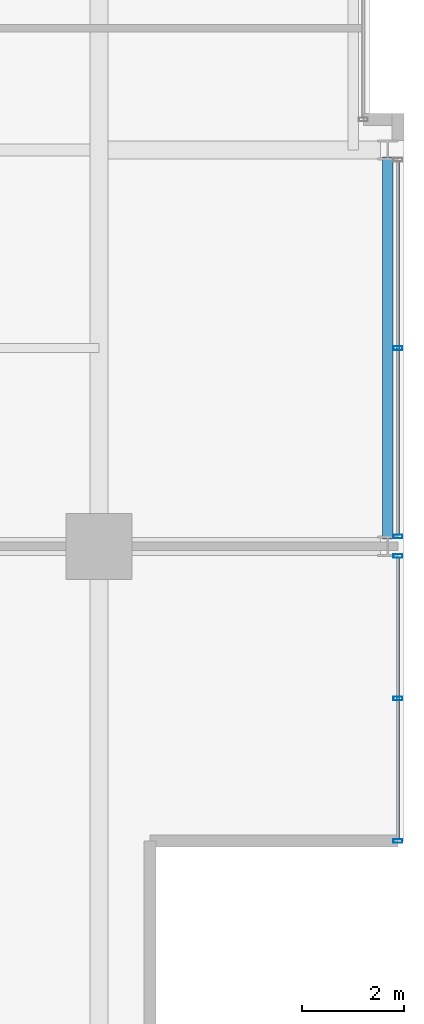
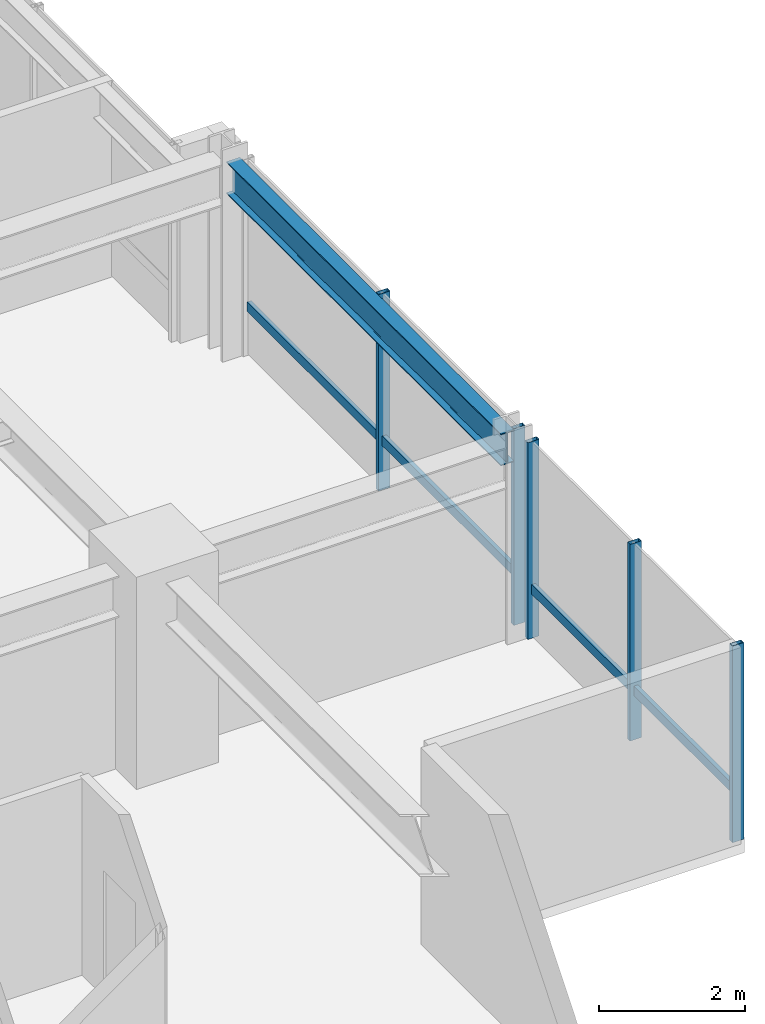
# One storey, part 13 of 32: 7 members, 1 beam, 2 elements without a shape of their own.
"""IFC4 building model written with IfcOpenShell, lengths in metres."""

from ifc_helpers import new_model, si_unit, direction, frame, origin, origin_2d, place, context, subcontext, project, spatial, hollow_rectangle, i_section, extrude, material, layer, layer_set, material_profile, profile_set, type_object, element, aggregate, save


model = new_model("IFC4")

# Units and contexts
model_context = context("Model", 3, precision=1e-05, world=origin(), true_north=direction((0.0, 1.0)))
body_context = subcontext(model_context, "Body", "Model", "MODEL_VIEW")
ifc_project = project(units=[si_unit("LENGTHUNIT", "METRE"), si_unit("AREAUNIT", "SQUARE_METRE"), si_unit("VOLUMEUNIT", "CUBIC_METRE"), si_unit("PLANEANGLEUNIT", "RADIAN"), si_unit("MASSUNIT", "GRAM", prefix="KILO")], contexts=[model_context])

# Site, building, storey
site_placement = place(None, origin())
site = spatial("IfcSite", under=ifc_project, at=site_placement, CompositionType="ELEMENT")
building_placement = place(site_placement, origin())
building = spatial("IfcBuilding", under=site, at=building_placement, Name="Drelvath Grand Hotel", CompositionType="ELEMENT")
storey_placement = place(building_placement, frame((0.0, 0.0, 189.449951171875)))
storey = spatial("IfcBuildingStorey", under=building, at=storey_placement, Name="L49", CompositionType="ELEMENT", Elevation=189.449951171875)

# Curtain wall, member
ifc_material_1 = material(Name="Brushed Pale-Silver Anodised Aluminium Frame", Category="aluminium")
ifc_layer = layer(ifc_material_1, 0.199951171875)
ifc_layer_set = layer_set([ifc_layer], Name="Brushed Pale-Silver Anodised Aluminium Frame")
curtain_wall_type = type_object("IfcCurtainWallType", Name="Stick Curtain Wall CW-04 Brushed Silver Upper-Mid", PredefinedType="NOTDEFINED", material=ifc_layer_set)
curtain_wall_1_placement = place(storey_placement, origin())
curtain_wall_1 = element("IfcCurtainWall", 1, at=curtain_wall_1_placement, inside=storey, type_object=curtain_wall_type, Name="L49 CW-04 Curtain Wall CW04-L49-ES1", PredefinedType="NOTDEFINED")
ifc_material_profile_1 = material_profile(ifc_material_1, hollow_rectangle(XDim=0.06494140625, YDim=0.159912109375, WallThickness=0.00390625, at=origin_2d()), Name="HSS160X65X4")
ifc_profile_set_1 = profile_set([ifc_material_profile_1], Name="Brushed Pale-Silver Anodised Aluminium Frame")
member_type_1 = type_object("IfcMemberType", Name="Curtain Wall Horizontal Transom CW-04 HSS160X65X4", PredefinedType="USERDEFINED", material=ifc_profile_set_1)
member_1_placement = place(storey_placement, frame((22.080078125, 10.568359375, 0.822509765625), z_axis=(0.0, -1.0, 0.0), x_axis=(1.0, 0.0, 0.0)))
member_1 = element("IfcMember", 2, at=member_1_placement, type_object=member_type_1, Name="CW04-L49-ES1 Sill Transom", ObjectType="TRANSOM", PredefinedType="USERDEFINED", context=body_context, shape_type="SweptSolid", body=[
    extrude(hollow_rectangle(XDim=0.06494140625, YDim=0.159912109375, WallThickness=0.00390625, at=origin_2d()), origin(), (0.0, 0.0, 1.0), 5.5283203125),
])

curtain_wall_2_placement = place(storey_placement, origin())
curtain_wall_2 = element("IfcCurtainWall", 3, at=curtain_wall_2_placement, inside=storey, type_object=curtain_wall_type, Name="L49 CW-04 Curtain Wall CW04-L49-ES2", PredefinedType="NOTDEFINED")
member_2_placement = place(storey_placement, frame((22.080078125, 18.368408203125, 0.822509765625), z_axis=(0.0, -1.0, 0.0), x_axis=(1.0, 0.0, 0.0)))
member_2 = element("IfcMember", 4, at=member_2_placement, type_object=member_type_1, Name="CW04-L49-ES2 Sill Transom", ObjectType="TRANSOM", PredefinedType="USERDEFINED", context=body_context, shape_type="SweptSolid", body=[
    extrude(hollow_rectangle(XDim=0.06494140625, YDim=0.159912109375, WallThickness=0.00390625, at=origin_2d()), origin(), (0.0, 0.0, 1.0), 7.336669921875),
])

# Member
ifc_material_profile_2 = material_profile(ifc_material_1, hollow_rectangle(XDim=0.074951171875, YDim=0.179931640625, WallThickness=0.0048828125, at=origin_2d()), Name="HSS180X75X5")
ifc_profile_set_2 = profile_set([ifc_material_profile_2], Name="Brushed Pale-Silver Anodised Aluminium Frame")
member_type_2 = type_object("IfcMemberType", Name="Curtain Wall Vertical Mullion CW-04 HSS180X75X5", PredefinedType="MULLION", material=ifc_profile_set_2)
member_3_placement = place(storey_placement, frame((22.080078125, 10.6083984375, 0.0), z_axis=(0.0, 0.0, 1.0), x_axis=(0.0, 1.0, 0.0)))
member_3 = element("IfcMember", 5, at=member_3_placement, type_object=member_type_2, Name="CW04-L49-ES1 Mullion 1", PredefinedType="MULLION", context=body_context, shape_type="SweptSolid", body=[
    extrude(hollow_rectangle(XDim=0.074951171875, YDim=0.179931640625, WallThickness=0.0048828125, at=origin_2d()), origin(), (0.0, 0.0, 1.0), 3.2900390625),
])

member_4_placement = place(storey_placement, frame((22.080078125, 7.80419921875, 0.0), z_axis=(0.0, 0.0, 1.0), x_axis=(0.0, 1.0, 0.0)))
member_4 = element("IfcMember", 6, at=member_4_placement, type_object=member_type_2, Name="CW04-L49-ES1 Mullion 2", PredefinedType="MULLION", context=body_context, shape_type="SweptSolid", body=[
    extrude(hollow_rectangle(XDim=0.074951171875, YDim=0.179931640625, WallThickness=0.0048828125, at=origin_2d()), origin(), (0.0, 0.0, 1.0), 3.2900390625),
])

member_5_placement = place(storey_placement, frame((22.080078125, 5.0, 0.0), z_axis=(0.0, 0.0, 1.0), x_axis=(0.0, 1.0, 0.0)))
member_5 = element("IfcMember", 7, at=member_5_placement, type_object=member_type_2, Name="CW04-L49-ES1 Mullion 3", PredefinedType="MULLION", context=body_context, shape_type="SweptSolid", body=[
    extrude(hollow_rectangle(XDim=0.074951171875, YDim=0.179931640625, WallThickness=0.0048828125, at=origin_2d()), origin(), (0.0, 0.0, 1.0), 3.2900390625),
])

aggregate(curtain_wall_1, [member_3, member_4, member_5, member_1])

member_6_placement = place(storey_placement, frame((22.080078125, 14.7001953125, 0.0), z_axis=(0.0, 0.0, 1.0), x_axis=(0.0, 1.0, 0.0)))
member_6 = element("IfcMember", 8, at=member_6_placement, type_object=member_type_2, Name="CW04-L49-ES2 Mullion 2", PredefinedType="MULLION", context=body_context, shape_type="SweptSolid", body=[
    extrude(hollow_rectangle(XDim=0.074951171875, YDim=0.179931640625, WallThickness=0.0048828125, at=origin_2d()), origin(), (0.0, 0.0, 1.0), 3.2900390625),
])

member_7_placement = place(storey_placement, frame((22.080078125, 10.99169921875, 0.0), z_axis=(0.0, 0.0, 1.0), x_axis=(0.0, 1.0, 0.0)))
member_7 = element("IfcMember", 9, at=member_7_placement, type_object=member_type_2, Name="CW04-L49-ES2 Mullion 3", PredefinedType="MULLION", context=body_context, shape_type="SweptSolid", body=[
    extrude(hollow_rectangle(XDim=0.074951171875, YDim=0.179931640625, WallThickness=0.0048828125, at=origin_2d()), origin(), (0.0, 0.0, 1.0), 3.2900390625),
])

aggregate(curtain_wall_2, [member_6, member_7, member_2])

# Beam
ifc_material_2 = material(Name="Steel ASTM A992 Gr 50", Category="steel")
ifc_material_profile_3 = material_profile(ifc_material_2, i_section(OverallWidth=0.210205078125, OverallDepth=0.53662109375, WebThickness=0.010986328125, FlangeThickness=0.017333984375, FilletRadius=0.01806640625, at=origin_2d()), Name="W21X68")
ifc_profile_set_3 = profile_set([ifc_material_profile_3], Name="Steel ASTM A992 Gr 50")
beam_type = type_object("IfcBeamType", Name="Perimeter Spandrel Beam W21X68", PredefinedType="SPANDREL", material=ifc_profile_set_3)
beam_placement = place(storey_placement, frame((21.8798828125, 10.93994140625, 3.021728515625), z_axis=(0.0, 1.0, 0.0), x_axis=(-1.0, 0.0, 0.0)))
element("IfcBeam", 10, at=beam_placement, inside=storey, type_object=beam_type, Name="L49 Spandrel East S", PredefinedType="SPANDREL", context=body_context, shape_type="SweptSolid", body=[
    extrude(i_section(OverallWidth=0.210205078125, OverallDepth=0.53662109375, WebThickness=0.010986328125, FlangeThickness=0.017333984375, FilletRadius=0.01806640625, at=origin_2d()), origin(), (0.0, 0.0, 1.0), 7.52001953125),
])

save(model, "model.ifc")
